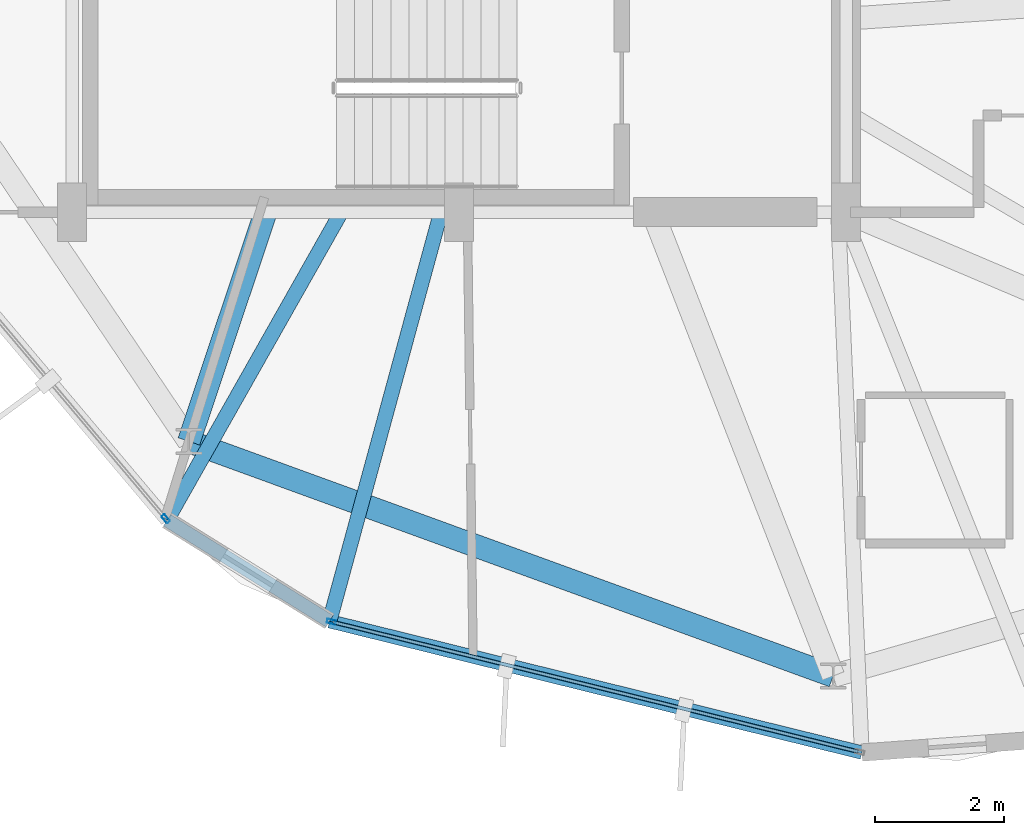
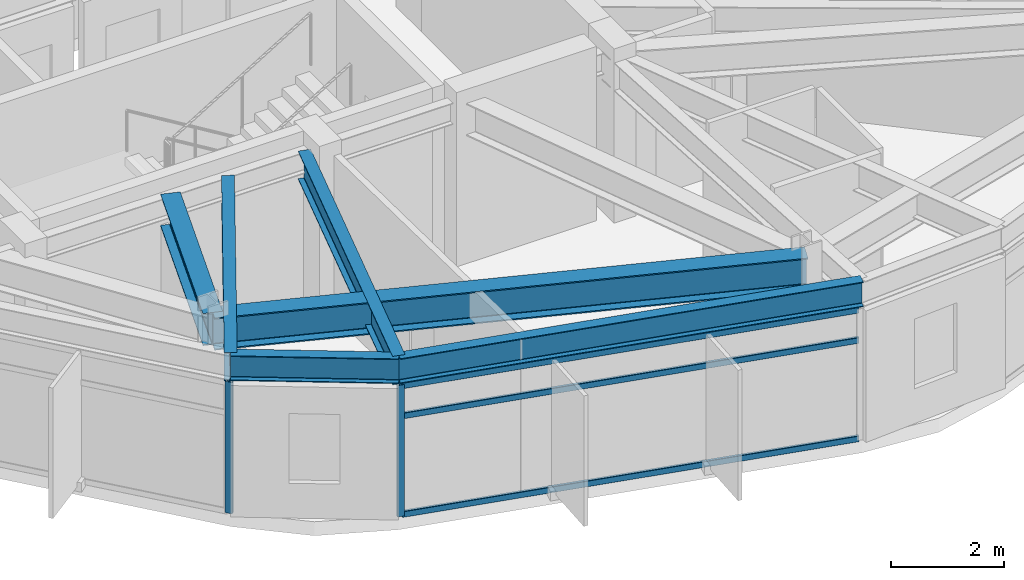
# One storey, part 2 of 26: 6 beams, 5 members, 2 elements without a shape of their own.
"""IFC4 building model written with IfcOpenShell, lengths in metres."""

import ifcopenshell
import ifcopenshell.guid

model = None  # the IFC model being written
_history = None  # IfcOwnerHistory: only IFC2X3 demands one
_inside = {}  # id of a spatial element -> (the spatial element, [elements in it])
_under = {}  # id of a project, library or spatial element -> (it, [spatial elements below it])
_declared = {}  # id of a project -> (the project, [libraries it declares])
_typed = {}  # id of a type object -> (the type object, [elements of that type])
_made_of = {}  # id of a material, layer set ... -> (it, [elements and type objects made of it])


def new_model(schema):
    """Start an empty IFC model of exactly this schema.

    Asked for "IFC4X3", IfcOpenShell would pick the latest addendum, in which some entities
    have other attributes; the version numbers below select the first issue.
    IFC2X3 requires an IfcOwnerHistory on every rooted entity: one is made here for all.
    """
    global model, _history
    if schema == "IFC4X3":
        model = ifcopenshell.file(schema_version=(4, 3, 0, 0))
    else:
        model = ifcopenshell.file(schema=schema)
    _inside.clear()
    _under.clear()
    _declared.clear()
    _typed.clear()
    _made_of.clear()
    _history = None
    if model.schema == "IFC2X3":
        org = make("IfcOrganization", Name="unknown")
        user = make(
            "IfcPersonAndOrganization",
            ThePerson=make("IfcPerson", FamilyName="unknown"),
            TheOrganization=org,
        )
        app = make(
            "IfcApplication",
            ApplicationDeveloper=org,
            Version="unknown",
            ApplicationFullName="unknown",
            ApplicationIdentifier="unknown",
        )
        _history = make(
            "IfcOwnerHistory",
            OwningUser=user,
            OwningApplication=app,
            ChangeAction="ADDED",
            CreationDate=0,
        )
    return model


def make(cls, **values):
    """One entity of the class cls with the attributes given. An attribute that is None is left unset."""
    return model.create_entity(
        cls, **{name: value for name, value in values.items() if value is not None}
    )


def rooted(cls, **values):
    """An entity with a GlobalId (a new one), such as an element, a storey or a relation."""
    return make(cls, GlobalId=ifcopenshell.guid.new(), OwnerHistory=_history, **values)


def si_unit(unit_type, name, prefix=None):
    """IfcSIUnit, for example si_unit("LENGTHUNIT", "METRE", prefix="MILLI")."""
    return make("IfcSIUnit", UnitType=unit_type, Prefix=prefix, Name=name)


def assignment(units):
    """IfcUnitAssignment: the units of a project."""
    return None if units is None else make("IfcUnitAssignment", Units=units)


def point(xyz):
    """IfcCartesianPoint."""
    return None if xyz is None else make("IfcCartesianPoint", Coordinates=xyz)


def direction(xyz):
    """IfcDirection."""
    return None if xyz is None else make("IfcDirection", DirectionRatios=xyz)


def frame(location, z_axis=None, x_axis=None):
    """IfcAxis2Placement3D, a coordinate frame: its origin and axes. An axis left out is left unset."""
    return make(
        "IfcAxis2Placement3D",
        Location=point(location),
        Axis=direction(z_axis),
        RefDirection=direction(x_axis),
    )


def frame_2d(location, x_axis=None):
    """IfcAxis2Placement2D, a coordinate frame in the plane: its origin and x axis."""
    return make(
        "IfcAxis2Placement2D", Location=point(location), RefDirection=direction(x_axis)
    )


def origin():
    """The frame at (0, 0, 0) with its axes left unset."""
    return frame((0.0, 0.0, 0.0))


def origin_2d():
    """The frame at (0, 0) in the plane with its x axis left unset."""
    return frame_2d((0.0, 0.0))


def place(relative_to, where):
    """IfcLocalPlacement: puts the frame where relative to a parent placement (None: the world)."""
    return make(
        "IfcLocalPlacement", PlacementRelTo=relative_to, RelativePlacement=where
    )


def context(
    kind, dimensions, precision=None, world=None, true_north=None, identifier=None
):
    """IfcGeometricRepresentationContext, for example the 3D "Model" context."""
    return make(
        "IfcGeometricRepresentationContext",
        ContextIdentifier=identifier,
        ContextType=kind,
        CoordinateSpaceDimension=dimensions,
        Precision=precision,
        WorldCoordinateSystem=world,
        TrueNorth=true_north,
    )


def subcontext(parent, identifier, kind, view, scale=None):
    """IfcGeometricRepresentationSubContext, for example "Body" below "Model"."""
    return make(
        "IfcGeometricRepresentationSubContext",
        ContextIdentifier=identifier,
        ContextType=kind,
        ParentContext=parent,
        TargetScale=scale,
        TargetView=view,
    )


def project(units=None, contexts=None):
    """IfcProject with its units and contexts."""
    return rooted(
        "IfcProject",
        Name="project",
        RepresentationContexts=contexts,
        UnitsInContext=assignment(units),
    )


def spatial(cls, under=None, at=None, **own):
    """A site, building, storey or space (cls), placed at a placement, below another one or the project."""
    s = rooted(cls, ObjectPlacement=at, **own)
    if under is not None:
        _under.setdefault(under.id(), (under, []))[1].append(s)
    return s


def profile(cls, at=None, kind="AREA", **sizes):
    """A parametric profile (cls). Its sizes go by their IFC names, for example OverallWidth=200.0."""
    return make(cls, ProfileType=kind, Position=at, **sizes)


def hollow_rectangle(**sizes):
    """IfcRectangleHollowProfileDef."""
    return profile("IfcRectangleHollowProfileDef", **sizes)


def i_section(**sizes):
    """IfcIShapeProfileDef."""
    return profile("IfcIShapeProfileDef", **sizes)


def extrude(swept, where, along, depth):
    """IfcExtrudedAreaSolid: the profile swept, set in the frame where, extruded along a direction by depth."""
    return make(
        "IfcExtrudedAreaSolid",
        SweptArea=swept,
        Position=where,
        ExtrudedDirection=direction(along),
        Depth=depth,
    )


def shape(context_of_items, identifier, shape_type, items):
    """IfcShapeRepresentation: the items that make up one representation, for example the "Body"."""
    return make(
        "IfcShapeRepresentation",
        ContextOfItems=context_of_items,
        RepresentationIdentifier=identifier,
        RepresentationType=shape_type,
        Items=items,
    )


def material(Name=None, Category=None):
    """IfcMaterial."""
    return make("IfcMaterial", Name=Name, Category=Category)


def layer(
    of_material, thickness, ventilated=None, Name=None, Category=None, Priority=None
):
    """IfcMaterialLayer: one layer of a wall or slab, of a material (None: an air gap)."""
    return make(
        "IfcMaterialLayer",
        Material=of_material,
        LayerThickness=thickness,
        IsVentilated=ventilated,
        Name=Name,
        Category=Category,
        Priority=Priority,
    )


def layer_set(layers, Name=None):
    """IfcMaterialLayerSet."""
    return make("IfcMaterialLayerSet", MaterialLayers=layers, LayerSetName=Name)


def material_profile(
    of_material, cross_section, Name=None, Category=None, Priority=None
):
    """IfcMaterialProfile: a cross section and its material."""
    return make(
        "IfcMaterialProfile",
        Name=Name,
        Material=of_material,
        Profile=cross_section,
        Priority=Priority,
        Category=Category,
    )


def profile_set(profiles, Name=None, composite=None):
    """IfcMaterialProfileSet."""
    return make(
        "IfcMaterialProfileSet",
        Name=Name,
        MaterialProfiles=profiles,
        CompositeProfile=composite,
    )


def made_of(thing, what):
    """Note that an element or type object is made of a material, layer set ...; save() writes the relation."""
    if what is not None:
        _made_of.setdefault(what.id(), (what, []))[1].append(thing)
    return thing


def type_object(cls, material=None, **own):
    """A type object (cls), such as IfcWallType, which elements share."""
    return made_of(rooted(cls, **own), material)


def element(
    cls,
    number,
    at=None,
    inside=None,
    cuts=None,
    type_object=None,
    material=None,
    context=None,
    identifier="Body",
    shape_type=None,
    held_by="IfcProductDefinitionShape",
    body=None,
    shapes=None,
    **own,
):
    """One element of the class cls, such as IfcWall. Its Tag is "e" and its number.

    at: its placement. inside: the storey or other place that contains it. cuts: it is an
    opening in that element (IfcRelVoidsElement). A single representation is given by context,
    identifier, shape_type and body (its items); several are given by shapes. held_by: the class
    of the entity that holds the representations. save() writes the other relations.
    """
    e = rooted(cls, Tag="e%d" % number, ObjectPlacement=at, **own)
    if body is not None:
        shapes = [shape(context, identifier, shape_type, body)]
    if shapes is not None:
        e.Representation = make(held_by, Representations=shapes)
    if inside is not None:
        _inside.setdefault(inside.id(), (inside, []))[1].append(e)
    if cuts is not None:
        rooted(
            "IfcRelVoidsElement", RelatingBuildingElement=cuts, RelatedOpeningElement=e
        )
    if type_object is not None:
        _typed.setdefault(type_object.id(), (type_object, []))[1].append(e)
    return made_of(e, material)


def aggregate(whole, parts):
    """IfcRelAggregates: a whole, such as a stair, and the parts it consists of."""
    return rooted("IfcRelAggregates", RelatingObject=whole, RelatedObjects=parts)


def save(model, path):
    """Write the relations noted so far, then the file.

    IfcRelAggregates (storeys below a building ...), IfcRelContainedInSpatialStructure (elements
    in a storey), IfcRelDefinesByType, IfcRelAssociatesMaterial and IfcRelDeclares: one each for
    every whole, place, type object, material and project.
    """
    for whole, parts in _under.values():
        aggregate(whole, parts)
    for where, things in _inside.values():
        rooted(
            "IfcRelContainedInSpatialStructure",
            RelatedElements=things,
            RelatingStructure=where,
        )
    for kind, things in _typed.values():
        rooted("IfcRelDefinesByType", RelatedObjects=things, RelatingType=kind)
    for what, things in _made_of.values():
        rooted("IfcRelAssociatesMaterial", RelatedObjects=things, RelatingMaterial=what)
    for by, libraries in _declared.values():
        rooted("IfcRelDeclares", RelatingContext=by, RelatedDefinitions=libraries)
    model.write(path)


model = new_model("IFC4")

# Units and contexts
model_context = context("Model", 3, precision=1e-05, world=origin(), true_north=direction((0.0, 1.0)))
body_context = subcontext(model_context, "Body", "Model", "MODEL_VIEW")
ifc_project = project(units=[si_unit("LENGTHUNIT", "METRE"), si_unit("AREAUNIT", "SQUARE_METRE"), si_unit("VOLUMEUNIT", "CUBIC_METRE"), si_unit("PLANEANGLEUNIT", "RADIAN"), si_unit("MASSUNIT", "GRAM", prefix="KILO")], contexts=[model_context])

# Site, building, storey
site_placement = place(None, origin())
site = spatial("IfcSite", under=ifc_project, at=site_placement, CompositionType="ELEMENT")
building_placement = place(site_placement, origin())
building = spatial("IfcBuilding", under=site, at=building_placement, Name="Soratama Intermodal Tower", CompositionType="ELEMENT")
storey_placement = place(building_placement, frame((0.0, 0.0, 246.25)))
storey = spatial("IfcBuildingStorey", under=building, at=storey_placement, Name="L62", CompositionType="ELEMENT", Elevation=246.25)

# Beams
ifc_material_1 = material(Name="Structural steel ASTM A992 Grade 50", Category="steel")
ifc_material_profile_1 = material_profile(ifc_material_1, i_section(OverallWidth=0.35498046875, OverallDepth=0.695068359375, WebThickness=0.015380859375, FlangeThickness=0.02490234375, FilletRadius=0.01611328125, at=origin_2d()), Name="W27X146")
ifc_profile_set_1 = profile_set([ifc_material_profile_1], Name="Structural steel ASTM A992 Grade 50")
beam_type_1 = type_object("IfcBeamType", Name="BM-RING-W27X146", PredefinedType="BEAM", material=ifc_profile_set_1)
beam_1_placement = place(storey_placement, frame((34.410888671875, 11.446044921875, 3.1025390625), z_axis=(0.939713598519, -0.341962501976, 0.0), x_axis=(0.341962501976, 0.939713598519, 0.0)))
element("IfcBeam", 1, at=beam_1_placement, inside=storey, type_object=beam_type_1, Name="BM-L62-RING-07", PredefinedType="BEAM", context=body_context, shape_type="SweptSolid", body=[
    extrude(i_section(OverallWidth=0.35498046875, OverallDepth=0.695068359375, WebThickness=0.015380859375, FlangeThickness=0.02490234375, FilletRadius=0.01611328125, at=origin_2d()), origin(), (0.0, 0.0, 1.0), 10.6298828125),
])
beam_2_placement = place(storey_placement, frame((35.60009765625, 15.0, 3.1025390625), z_axis=(-0.317321993996, -0.948317853953, 0.0), x_axis=(0.948317853953, -0.317321993996, 0.0)))
element("IfcBeam", 2, at=beam_2_placement, inside=storey, type_object=beam_type_1, Name="BM-L62-RAD-07", PredefinedType="BEAM", context=body_context, shape_type="SweptSolid", body=[
    extrude(i_section(OverallWidth=0.35498046875, OverallDepth=0.695068359375, WebThickness=0.015380859375, FlangeThickness=0.02490234375, FilletRadius=0.01611328125, at=origin_2d()), origin(), (0.0, 0.0, 1.0), 3.74755859375),
])
ifc_material_2 = material(Name="Structural steel ASTM A992 Grade 50", Category="steel")
ifc_material_profile_2 = material_profile(ifc_material_2, i_section(OverallWidth=0.2099609375, OverallDepth=0.537109375, WebThickness=0.010986328125, FlangeThickness=0.017333984375, FilletRadius=0.012939453125, at=origin_2d()), Name="W21X68")
ifc_profile_set_2 = profile_set([ifc_material_profile_2], Name="Structural steel ASTM A992 Grade 50")
beam_type_2 = type_object("IfcBeamType", Name="BM-SPN-W21X68", PredefinedType="SPANDREL", material=ifc_profile_set_2)
beam_3_placement = place(storey_placement, frame((34.071044921875, 10.22509765625, 3.181396484375), z_axis=(0.849336174465, -0.527852311489, 0.0), x_axis=(0.527852311489, 0.849336174465, 0.0)))
element("IfcBeam", 3, at=beam_3_placement, inside=storey, type_object=beam_type_2, Name="BS-L62-CRN05", PredefinedType="SPANDREL", context=body_context, shape_type="SweptSolid", body=[
    extrude(i_section(OverallWidth=0.2099609375, OverallDepth=0.537109375, WebThickness=0.010986328125, FlangeThickness=0.017333984375, FilletRadius=0.012939453125, at=origin_2d()), origin(), (0.0, 0.0, 1.0), 2.967041015625),
])
beam_4_placement = place(storey_placement, frame((36.591064453125, 8.658935546875, 3.181396484375), z_axis=(0.970888075298, -0.239533599406, 0.0), x_axis=(0.239533599406, 0.970888075298, 0.0)))
element("IfcBeam", 4, at=beam_4_placement, inside=storey, type_object=beam_type_2, Name="BS-L62-F06", PredefinedType="SPANDREL", context=body_context, shape_type="SweptSolid", body=[
    extrude(i_section(OverallWidth=0.2099609375, OverallDepth=0.537109375, WebThickness=0.010986328125, FlangeThickness=0.017333984375, FilletRadius=0.012939453125, at=origin_2d()), origin(), (0.0, 0.0, 1.0), 8.499267578125),
])
ifc_material_3 = material(Name="Structural steel ASTM A992 Grade 50", Category="steel")
ifc_material_profile_3 = material_profile(ifc_material_3, i_section(OverallWidth=0.22900390625, OverallDepth=0.612060546875, WebThickness=0.011962890625, FlangeThickness=0.01953125, FilletRadius=0.012939453125, at=origin_2d()), Name="W24X84")
ifc_profile_set_3 = profile_set([ifc_material_profile_3], Name="Structural steel ASTM A992 Grade 50")
beam_type_3 = type_object("IfcBeamType", Name="BM-TIE-W24X84", PredefinedType="BEAM", material=ifc_profile_set_3)
beam_5_placement = place(storey_placement, frame((36.751953125, 14.965087890625, 3.14404296875), z_axis=(-0.492305421039, -0.870422525223, 0.0), x_axis=(0.870422525223, -0.492305421039, 0.0)))
element("IfcBeam", 5, at=beam_5_placement, inside=storey, type_object=beam_type_3, Name="BM-L62-TIE1-05", PredefinedType="BEAM", context=body_context, shape_type="SweptSolid", body=[
    extrude(i_section(OverallWidth=0.22900390625, OverallDepth=0.612060546875, WebThickness=0.011962890625, FlangeThickness=0.01953125, FilletRadius=0.012939453125, at=origin_2d()), origin(), (0.0, 0.0, 1.0), 5.445556640625),
])
beam_6_placement = place(storey_placement, frame((38.306884765625, 14.9609375, 3.14404296875), z_axis=(-0.262703044275, -0.964876733334, 0.0), x_axis=(0.964876733334, -0.262703044275, 0.0)))
element("IfcBeam", 6, at=beam_6_placement, inside=storey, type_object=beam_type_3, Name="BM-L62-TIE0-06", PredefinedType="BEAM", context=body_context, shape_type="SweptSolid", body=[
    extrude(i_section(OverallWidth=0.22900390625, OverallDepth=0.612060546875, WebThickness=0.011962890625, FlangeThickness=0.01953125, FilletRadius=0.012939453125, at=origin_2d()), origin(), (0.0, 0.0, 1.0), 6.531494140625),
])

# Curtain wall, member
ifc_material_4 = material(Name="Double-glazed aluminium curtain wall", Category="aluminium")
ifc_layer = layer(ifc_material_4, 0.159912109375)
ifc_layer_set = layer_set([ifc_layer], Name="Double-glazed aluminium curtain wall")
curtain_wall_type = type_object("IfcCurtainWallType", Name="CW-SYS-5", PredefinedType="NOTDEFINED", material=ifc_layer_set)
curtain_wall_1_placement = place(storey_placement, origin())
curtain_wall_1 = element("IfcCurtainWall", 7, at=curtain_wall_1_placement, inside=storey, type_object=curtain_wall_type, Name="L62 Faceted Curtain Wall F05", PredefinedType="NOTDEFINED")
ifc_material_5 = material(Name="Anodised aluminium AA 6063-T6", Category="aluminium")
ifc_material_profile_4 = material_profile(ifc_material_5, hollow_rectangle(XDim=0.06494140625, YDim=0.139892578125, WallThickness=0.0048828125, InnerFilletRadius=0.0048828125, OuterFilletRadius=0.010009765625, at=origin_2d()), Name="CWM140X65X5")
ifc_profile_set_4 = profile_set([ifc_material_profile_4], Name="Anodised aluminium AA 6063-T6")
member_type_1 = type_object("IfcMemberType", Name="MT-CWM-5", PredefinedType="MULLION", material=ifc_profile_set_4)
member_1_placement = place(storey_placement, frame((34.0517578125, 10.24755859375, 0.0), z_axis=(0.0, 0.0, 1.0), x_axis=(0.764466500912, 0.644663454047, 0.0)))
member_1 = element("IfcMember", 8, at=member_1_placement, type_object=member_type_1, Name="CW-5 mullion 2", PredefinedType="MULLION", context=body_context, shape_type="SweptSolid", body=[
    extrude(hollow_rectangle(XDim=0.06494140625, YDim=0.139892578125, WallThickness=0.0048828125, InnerFilletRadius=0.0048828125, OuterFilletRadius=0.010009765625, at=origin_2d()), origin(), (0.0, 0.0, 1.0), 2.8291015625),
])
aggregate(curtain_wall_1, [member_1])

# Curtain wall, members
curtain_wall_2_placement = place(storey_placement, origin())
curtain_wall_2 = element("IfcCurtainWall", 9, at=curtain_wall_2_placement, inside=storey, type_object=curtain_wall_type, Name="L62 Faceted Curtain Wall F06", PredefinedType="NOTDEFINED")
member_2_placement = place(storey_placement, frame((36.619873046875, 8.651611328125, 0.0), z_axis=(0.0, 0.0, 1.0), x_axis=(0.239547544865, 0.970884634624, 0.0)))
member_2 = element("IfcMember", 10, at=member_2_placement, type_object=member_type_1, Name="CW-5 mullion 1", PredefinedType="MULLION", context=body_context, shape_type="SweptSolid", body=[
    extrude(hollow_rectangle(XDim=0.06494140625, YDim=0.139892578125, WallThickness=0.0048828125, InnerFilletRadius=0.0048828125, OuterFilletRadius=0.010009765625, at=origin_2d()), origin(), (0.0, 0.0, 1.0), 2.8291015625),
])
ifc_material_6 = material(Name="Anodised aluminium AA 6063-T6", Category="aluminium")
ifc_material_profile_5 = material_profile(ifc_material_6, hollow_rectangle(XDim=0.06005859375, YDim=0.1298828125, WallThickness=0.0048828125, InnerFilletRadius=0.0048828125, OuterFilletRadius=0.010009765625, at=origin_2d()), Name="CWT130X60X5")
ifc_profile_set_5 = profile_set([ifc_material_profile_5], Name="Anodised aluminium AA 6063-T6")
member_type_2 = type_object("IfcMemberType", Name="TT-CWT-2", PredefinedType="USERDEFINED", material=ifc_profile_set_5)
member_3_placement = place(storey_placement, frame((36.64892578125, 8.64453125, 0.030029296875), z_axis=(0.970878339382, -0.239573057998, 0.0), x_axis=(0.239573057998, 0.970878339382, 0.0)))
member_3 = element("IfcMember", 11, at=member_3_placement, type_object=member_type_2, Name="CW-5 transom 1.1", ObjectType="TRANSOM", PredefinedType="USERDEFINED", context=body_context, shape_type="SweptSolid", body=[
    extrude(hollow_rectangle(XDim=0.06005859375, YDim=0.1298828125, WallThickness=0.0048828125, InnerFilletRadius=0.0048828125, OuterFilletRadius=0.010009765625, at=origin_2d()), origin(), (0.0, 0.0, 1.0), 8.3798828125),
])
member_4_placement = place(storey_placement, frame((36.64892578125, 8.64453125, 2.14990234375), z_axis=(0.970878339382, -0.239573057998, 0.0), x_axis=(0.239573057998, 0.970878339382, 0.0)))
member_4 = element("IfcMember", 12, at=member_4_placement, type_object=member_type_2, Name="CW-5 transom 1.2", ObjectType="TRANSOM", PredefinedType="USERDEFINED", context=body_context, shape_type="SweptSolid", body=[
    extrude(hollow_rectangle(XDim=0.06005859375, YDim=0.1298828125, WallThickness=0.0048828125, InnerFilletRadius=0.0048828125, OuterFilletRadius=0.010009765625, at=origin_2d()), origin(), (0.0, 0.0, 1.0), 8.3798828125),
])
member_5_placement = place(storey_placement, frame((36.64892578125, 8.64453125, 2.799072265625), z_axis=(0.970878339382, -0.239573057998, 0.0), x_axis=(0.239573057998, 0.970878339382, 0.0)))
member_5 = element("IfcMember", 13, at=member_5_placement, type_object=member_type_2, Name="CW-5 transom 1.3", ObjectType="TRANSOM", PredefinedType="USERDEFINED", context=body_context, shape_type="SweptSolid", body=[
    extrude(hollow_rectangle(XDim=0.06005859375, YDim=0.1298828125, WallThickness=0.0048828125, InnerFilletRadius=0.0048828125, OuterFilletRadius=0.010009765625, at=origin_2d()), origin(), (0.0, 0.0, 1.0), 8.3798828125),
])
aggregate(curtain_wall_2, [member_2, member_3, member_4, member_5])

save(model, "model.ifc")
